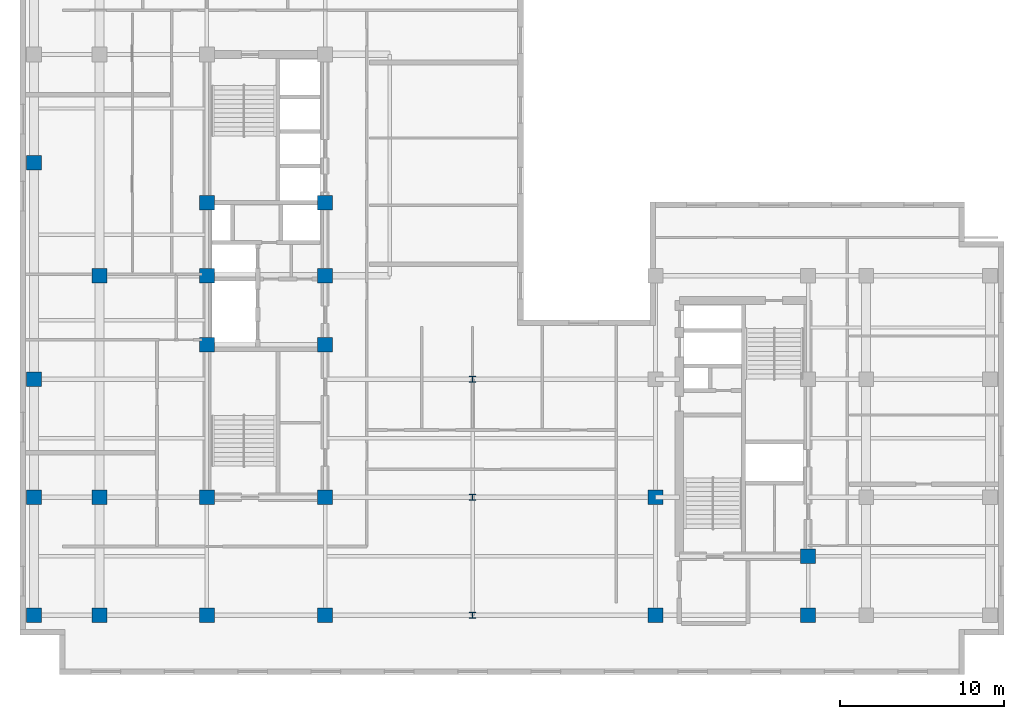
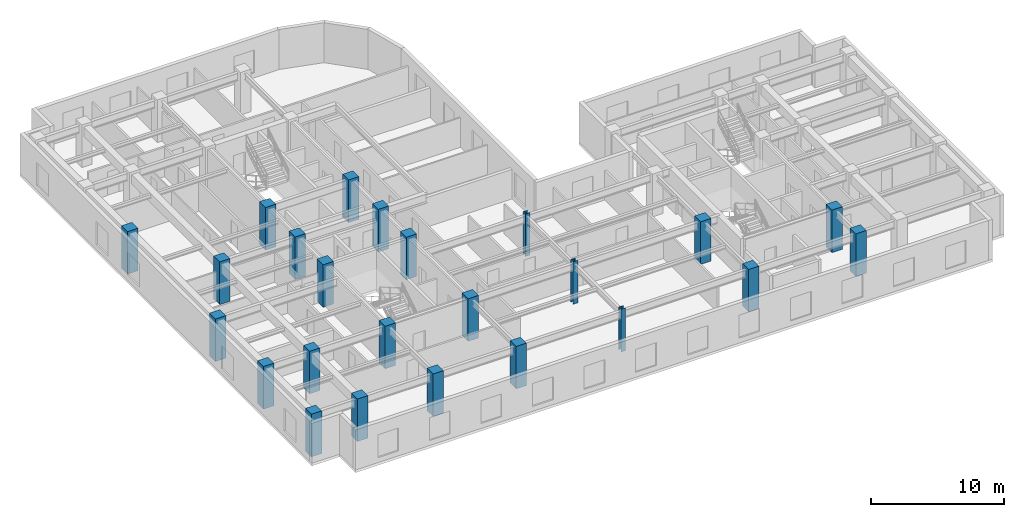
# One storey, part 1 of 11: 24 columns.
"""IFC4 building model written with IfcOpenShell, lengths in metres."""

from ifc_helpers import new_model, entity, si_unit, converted_unit, direction, frame, origin_with_axes, origin_2d_with_axis, place, context, subcontext, project, spatial, rectangle, i_section, extrude, material, material_profile, profile_set, type_object, element, save


model = new_model("IFC4")

# Units and contexts
model_context = context("Model", 3, precision=1e-05, world=origin_with_axes(), true_north=direction((0.0, 1.0)))
body_context = subcontext(model_context, "Body", "Model", "MODEL_VIEW")
ifc_project = project(units=[si_unit("LENGTHUNIT", "METRE"), si_unit("AREAUNIT", "SQUARE_METRE"), si_unit("VOLUMEUNIT", "CUBIC_METRE"), converted_unit("PLANEANGLEUNIT", "DEGREE", entity("IfcPlaneAngleMeasure", 0.017453292519943295), si_unit("PLANEANGLEUNIT", "RADIAN"), dimensions=[0, 0, 0, 0, 0, 0, 0]), si_unit("MASSUNIT", "GRAM", prefix="KILO"), si_unit("THERMODYNAMICTEMPERATUREUNIT", "KELVIN")], contexts=[model_context])

# Site, building, storey
site_placement = place(None, origin_with_axes())
site = spatial("IfcSite", under=ifc_project, at=site_placement, CompositionType="ELEMENT")
building_placement = place(site_placement, origin_with_axes())
building = spatial("IfcBuilding", under=site, at=building_placement, Name="Varnlund Millrace Tower", CompositionType="ELEMENT")
storey_placement = place(building_placement, frame((0.0, 0.0, 208.2), z_axis=(0.0, 0.0, 1.0), x_axis=(1.0, 0.0, 0.0)))
storey = spatial("IfcBuildingStorey", under=building, at=storey_placement, Name="L51", CompositionType="ELEMENT", Elevation=208.2)

# Columns
ifc_material_1 = material(Name="Steel ASTM A992 Grade 50", Category="steel")
ifc_material_profile_1 = material_profile(ifc_material_1, i_section(OverallWidth=0.394, OverallDepth=0.375, WebThickness=0.0173, FlangeThickness=0.0277, FilletRadius=0.02, at=origin_2d_with_axis()), Name="Steel ASTM A992 Grade 50")
ifc_profile_set_1 = profile_set([ifc_material_profile_1], Name="Steel ASTM A992 Grade 50")
column_type_1 = type_object("IfcColumnType", Name="Type-Col-Int-W14X145", PredefinedType="COLUMN", material=ifc_profile_set_1)
for number, where, z_axis, x_axis, name in (
    (1, (27.6, 3.6, 0.0), (0.0, 0.0, 1.0), (1.0, 0.0, 0.0), "Type-Col-Int-W14X145"),
    (2, (27.6, 10.8, 0.0), (0.0, 0.0, 1.0), (1.0, 0.0, 0.0), "Type-Col-Int-W14X145"),
    (3, (27.6, 18.0, 0.0), (0.0, 0.0, 1.0), (1.0, 0.0, 0.0), "Type-Col-Int-W14X145"),
):
    element("IfcColumn", number, at=place(storey_placement, frame(where, z_axis=z_axis, x_axis=x_axis)), inside=storey, type_object=column_type_1, Name=name, PredefinedType="COLUMN", context=body_context, shape_type="SweptSolid", body=[
        extrude(i_section(OverallWidth=0.394, OverallDepth=0.375, WebThickness=0.0173, FlangeThickness=0.0277, FilletRadius=0.02, at=origin_2d_with_axis()), origin_with_axes(), (0.0, 0.0, 1.0), 3.9),
    ])
ifc_material_2 = material(Name="Concrete C70/85", Category="concrete")
ifc_material_profile_2 = material_profile(ifc_material_2, rectangle(XDim=0.9, YDim=0.9, at=origin_2d_with_axis()), Name="Concrete C70/85")
ifc_profile_set_2 = profile_set([ifc_material_profile_2], Name="Concrete C70/85")
column_type_2 = type_object("IfcColumnType", Name="Type-Col-RC900-C70", PredefinedType="COLUMN", material=ifc_profile_set_2)
for number, where, z_axis, x_axis, name in (
    (4, (11.4, 3.6, 0.0), (0.0, 0.0, 1.0), (1.0, 0.0, 0.0), "Type-Col-RC900-C70"),
    (5, (11.4, 10.8, 0.0), (0.0, 0.0, 1.0), (1.0, 0.0, 0.0), "Type-Col-RC900-C70"),
    (6, (11.4, 20.1, 0.0), (0.0, 0.0, 1.0), (1.0, 0.0, 0.0), "Type-Col-RC900-C70"),
    (7, (11.4, 24.3, 0.0), (0.0, 0.0, 1.0), (1.0, 0.0, 0.0), "Type-Col-RC900-C70"),
    (8, (11.4, 28.75, 0.0), (0.0, 0.0, 1.0), (1.0, 0.0, 0.0), "Type-Col-RC900-C70"),
    (9, (18.6, 3.6, 0.0), (0.0, 0.0, 1.0), (1.0, 0.0, 0.0), "Type-Col-RC900-C70"),
    (10, (18.6, 10.8, 0.0), (0.0, 0.0, 1.0), (1.0, 0.0, 0.0), "Type-Col-RC900-C70"),
    (11, (18.6, 20.1, 0.0), (0.0, 0.0, 1.0), (1.0, 0.0, 0.0), "Type-Col-RC900-C70"),
    (12, (18.6, 24.3, 0.0), (0.0, 0.0, 1.0), (1.0, 0.0, 0.0), "Type-Col-RC900-C70"),
    (13, (18.6, 28.75, 0.0), (0.0, 0.0, 1.0), (1.0, 0.0, 0.0), "Type-Col-RC900-C70"),
    (14, (4.85, 3.6, 0.0), (0.0, 0.0, 1.0), (1.0, 0.0, 0.0), "Type-Col-RC900-C70"),
    (15, (4.85, 10.8, 0.0), (0.0, 0.0, 1.0), (1.0, 0.0, 0.0), "Type-Col-RC900-C70"),
    (16, (4.85, 24.3, 0.0), (0.0, 0.0, 1.0), (1.0, 0.0, 0.0), "Type-Col-RC900-C70"),
    (17, (0.85, 3.6, 0.0), (0.0, 0.0, 1.0), (1.0, 0.0, 0.0), "Type-Col-RC900-C70"),
    (18, (0.85, 10.8, 0.0), (0.0, 0.0, 1.0), (1.0, 0.0, 0.0), "Type-Col-RC900-C70"),
    (19, (0.85, 18.0, 0.0), (0.0, 0.0, 1.0), (1.0, 0.0, 0.0), "Type-Col-RC900-C70"),
    (20, (0.85, 31.2, 0.0), (0.0, 0.0, 1.0), (1.0, 0.0, 0.0), "Type-Col-RC900-C70"),
    (21, (38.75, 3.6, 0.0), (0.0, 0.0, 1.0), (1.0, 0.0, 0.0), "Type-Col-RC900-C70"),
    (22, (38.75, 10.8, 0.0), (0.0, 0.0, 1.0), (1.0, 0.0, 0.0), "Type-Col-RC900-C70"),
    (23, (48.05, 3.6, 0.0), (0.0, 0.0, 1.0), (1.0, 0.0, 0.0), "Type-Col-RC900-C70"),
    (24, (48.05, 7.2, 0.0), (0.0, 0.0, 1.0), (1.0, 0.0, 0.0), "Type-Col-RC900-C70"),
):
    element("IfcColumn", number, at=place(storey_placement, frame(where, z_axis=z_axis, x_axis=x_axis)), inside=storey, type_object=column_type_2, Name=name, PredefinedType="COLUMN", context=body_context, shape_type="SweptSolid", body=[
        extrude(rectangle(XDim=0.9, YDim=0.9, at=origin_2d_with_axis()), origin_with_axes(), (0.0, 0.0, 1.0), 3.9),
    ])

save(model, "model.ifc")
